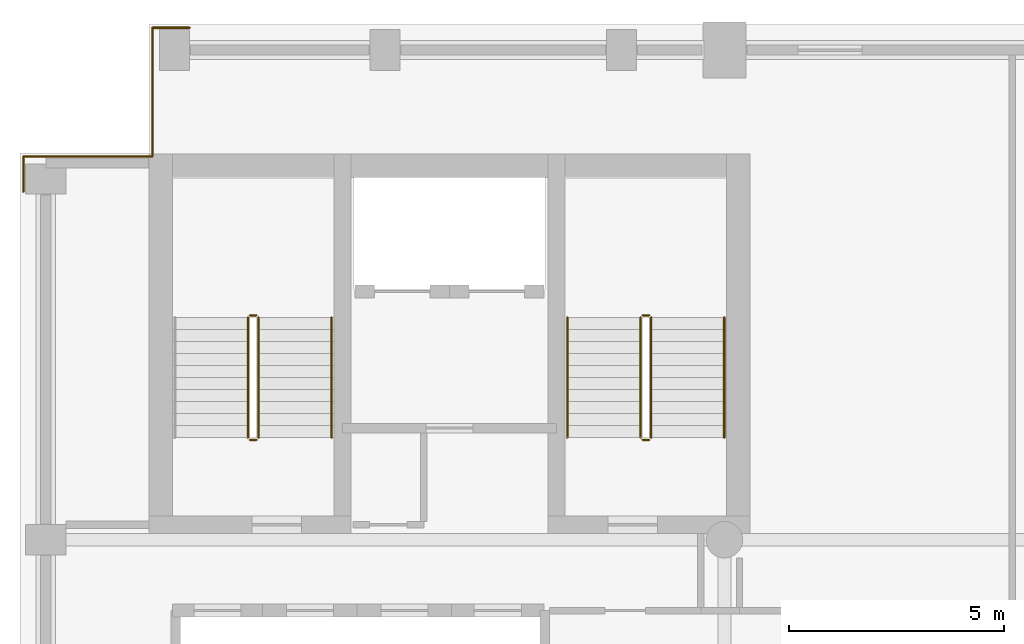
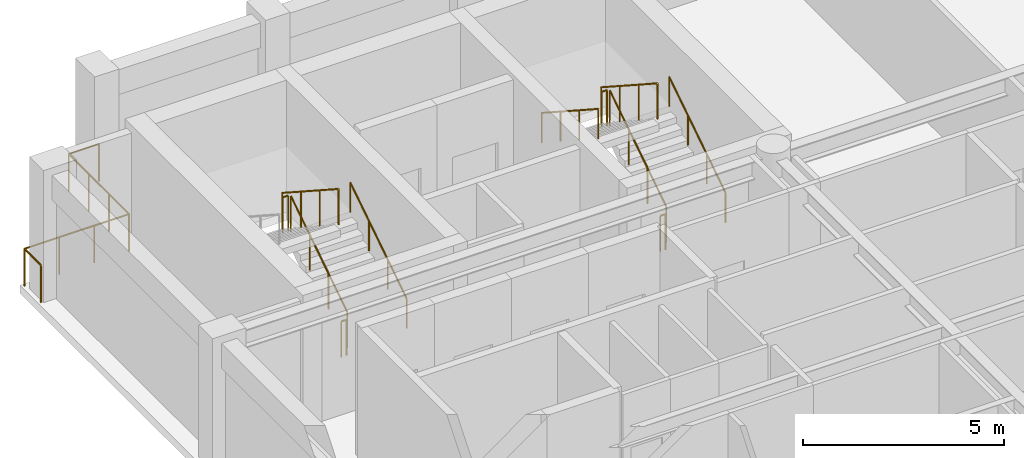
# One storey, part 13 of 14: 15 railings.
"""IFC4 building model written with IfcOpenShell, lengths in metres."""

import ifcopenshell
import ifcopenshell.guid

model = None  # the IFC model being written
_history = None  # IfcOwnerHistory: only IFC2X3 demands one
_inside = {}  # id of a spatial element -> (the spatial element, [elements in it])
_under = {}  # id of a project, library or spatial element -> (it, [spatial elements below it])
_declared = {}  # id of a project -> (the project, [libraries it declares])
_typed = {}  # id of a type object -> (the type object, [elements of that type])
_made_of = {}  # id of a material, layer set ... -> (it, [elements and type objects made of it])


def new_model(schema):
    """Start an empty IFC model of exactly this schema.

    Asked for "IFC4X3", IfcOpenShell would pick the latest addendum, in which some entities
    have other attributes; the version numbers below select the first issue.
    IFC2X3 requires an IfcOwnerHistory on every rooted entity: one is made here for all.
    """
    global model, _history
    if schema == "IFC4X3":
        model = ifcopenshell.file(schema_version=(4, 3, 0, 0))
    else:
        model = ifcopenshell.file(schema=schema)
    _inside.clear()
    _under.clear()
    _declared.clear()
    _typed.clear()
    _made_of.clear()
    _history = None
    if model.schema == "IFC2X3":
        org = make("IfcOrganization", Name="unknown")
        user = make(
            "IfcPersonAndOrganization",
            ThePerson=make("IfcPerson", FamilyName="unknown"),
            TheOrganization=org,
        )
        app = make(
            "IfcApplication",
            ApplicationDeveloper=org,
            Version="unknown",
            ApplicationFullName="unknown",
            ApplicationIdentifier="unknown",
        )
        _history = make(
            "IfcOwnerHistory",
            OwningUser=user,
            OwningApplication=app,
            ChangeAction="ADDED",
            CreationDate=0,
        )
    return model


def make(cls, **values):
    """One entity of the class cls with the attributes given. An attribute that is None is left unset."""
    return model.create_entity(
        cls, **{name: value for name, value in values.items() if value is not None}
    )


def rooted(cls, **values):
    """An entity with a GlobalId (a new one), such as an element, a storey or a relation."""
    return make(cls, GlobalId=ifcopenshell.guid.new(), OwnerHistory=_history, **values)


def si_unit(unit_type, name, prefix=None):
    """IfcSIUnit, for example si_unit("LENGTHUNIT", "METRE", prefix="MILLI")."""
    return make("IfcSIUnit", UnitType=unit_type, Prefix=prefix, Name=name)


def assignment(units):
    """IfcUnitAssignment: the units of a project."""
    return None if units is None else make("IfcUnitAssignment", Units=units)


def point(xyz):
    """IfcCartesianPoint."""
    return None if xyz is None else make("IfcCartesianPoint", Coordinates=xyz)


def direction(xyz):
    """IfcDirection."""
    return None if xyz is None else make("IfcDirection", DirectionRatios=xyz)


def frame(location, z_axis=None, x_axis=None):
    """IfcAxis2Placement3D, a coordinate frame: its origin and axes. An axis left out is left unset."""
    return make(
        "IfcAxis2Placement3D",
        Location=point(location),
        Axis=direction(z_axis),
        RefDirection=direction(x_axis),
    )


def frame_2d(location, x_axis=None):
    """IfcAxis2Placement2D, a coordinate frame in the plane: its origin and x axis."""
    return make(
        "IfcAxis2Placement2D", Location=point(location), RefDirection=direction(x_axis)
    )


def origin():
    """The frame at (0, 0, 0) with its axes left unset."""
    return frame((0.0, 0.0, 0.0))


def origin_2d():
    """The frame at (0, 0) in the plane with its x axis left unset."""
    return frame_2d((0.0, 0.0))


def place(relative_to, where):
    """IfcLocalPlacement: puts the frame where relative to a parent placement (None: the world)."""
    return make(
        "IfcLocalPlacement", PlacementRelTo=relative_to, RelativePlacement=where
    )


def context(
    kind, dimensions, precision=None, world=None, true_north=None, identifier=None
):
    """IfcGeometricRepresentationContext, for example the 3D "Model" context."""
    return make(
        "IfcGeometricRepresentationContext",
        ContextIdentifier=identifier,
        ContextType=kind,
        CoordinateSpaceDimension=dimensions,
        Precision=precision,
        WorldCoordinateSystem=world,
        TrueNorth=true_north,
    )


def subcontext(parent, identifier, kind, view, scale=None):
    """IfcGeometricRepresentationSubContext, for example "Body" below "Model"."""
    return make(
        "IfcGeometricRepresentationSubContext",
        ContextIdentifier=identifier,
        ContextType=kind,
        ParentContext=parent,
        TargetScale=scale,
        TargetView=view,
    )


def project(units=None, contexts=None):
    """IfcProject with its units and contexts."""
    return rooted(
        "IfcProject",
        Name="project",
        RepresentationContexts=contexts,
        UnitsInContext=assignment(units),
    )


def spatial(cls, under=None, at=None, **own):
    """A site, building, storey or space (cls), placed at a placement, below another one or the project."""
    s = rooted(cls, ObjectPlacement=at, **own)
    if under is not None:
        _under.setdefault(under.id(), (under, []))[1].append(s)
    return s


def profile(cls, at=None, kind="AREA", **sizes):
    """A parametric profile (cls). Its sizes go by their IFC names, for example OverallWidth=200.0."""
    return make(cls, ProfileType=kind, Position=at, **sizes)


def circle(**sizes):
    """IfcCircleProfileDef."""
    return profile("IfcCircleProfileDef", **sizes)


def extrude(swept, where, along, depth):
    """IfcExtrudedAreaSolid: the profile swept, set in the frame where, extruded along a direction by depth."""
    return make(
        "IfcExtrudedAreaSolid",
        SweptArea=swept,
        Position=where,
        ExtrudedDirection=direction(along),
        Depth=depth,
    )


def shape(context_of_items, identifier, shape_type, items):
    """IfcShapeRepresentation: the items that make up one representation, for example the "Body"."""
    return make(
        "IfcShapeRepresentation",
        ContextOfItems=context_of_items,
        RepresentationIdentifier=identifier,
        RepresentationType=shape_type,
        Items=items,
    )


def material(Name=None, Category=None):
    """IfcMaterial."""
    return make("IfcMaterial", Name=Name, Category=Category)


def made_of(thing, what):
    """Note that an element or type object is made of a material, layer set ...; save() writes the relation."""
    if what is not None:
        _made_of.setdefault(what.id(), (what, []))[1].append(thing)
    return thing


def type_object(cls, material=None, **own):
    """A type object (cls), such as IfcWallType, which elements share."""
    return made_of(rooted(cls, **own), material)


def element(
    cls,
    number,
    at=None,
    inside=None,
    cuts=None,
    type_object=None,
    material=None,
    context=None,
    identifier="Body",
    shape_type=None,
    held_by="IfcProductDefinitionShape",
    body=None,
    shapes=None,
    **own,
):
    """One element of the class cls, such as IfcWall. Its Tag is "e" and its number.

    at: its placement. inside: the storey or other place that contains it. cuts: it is an
    opening in that element (IfcRelVoidsElement). A single representation is given by context,
    identifier, shape_type and body (its items); several are given by shapes. held_by: the class
    of the entity that holds the representations. save() writes the other relations.
    """
    e = rooted(cls, Tag="e%d" % number, ObjectPlacement=at, **own)
    if body is not None:
        shapes = [shape(context, identifier, shape_type, body)]
    if shapes is not None:
        e.Representation = make(held_by, Representations=shapes)
    if inside is not None:
        _inside.setdefault(inside.id(), (inside, []))[1].append(e)
    if cuts is not None:
        rooted(
            "IfcRelVoidsElement", RelatingBuildingElement=cuts, RelatedOpeningElement=e
        )
    if type_object is not None:
        _typed.setdefault(type_object.id(), (type_object, []))[1].append(e)
    return made_of(e, material)


def aggregate(whole, parts):
    """IfcRelAggregates: a whole, such as a stair, and the parts it consists of."""
    return rooted("IfcRelAggregates", RelatingObject=whole, RelatedObjects=parts)


def save(model, path):
    """Write the relations noted so far, then the file.

    IfcRelAggregates (storeys below a building ...), IfcRelContainedInSpatialStructure (elements
    in a storey), IfcRelDefinesByType, IfcRelAssociatesMaterial and IfcRelDeclares: one each for
    every whole, place, type object, material and project.
    """
    for whole, parts in _under.values():
        aggregate(whole, parts)
    for where, things in _inside.values():
        rooted(
            "IfcRelContainedInSpatialStructure",
            RelatedElements=things,
            RelatingStructure=where,
        )
    for kind, things in _typed.values():
        rooted("IfcRelDefinesByType", RelatedObjects=things, RelatingType=kind)
    for what, things in _made_of.values():
        rooted("IfcRelAssociatesMaterial", RelatedObjects=things, RelatingMaterial=what)
    for by, libraries in _declared.values():
        rooted("IfcRelDeclares", RelatingContext=by, RelatedDefinitions=libraries)
    model.write(path)


model = new_model("IFC4")

# Units and contexts
model_context = context("Model", 3, precision=1e-05, world=origin(), true_north=direction((0.0, 1.0)))
body_context = subcontext(model_context, "Body", "Model", "MODEL_VIEW")
ifc_project = project(units=[si_unit("LENGTHUNIT", "METRE"), si_unit("AREAUNIT", "SQUARE_METRE"), si_unit("VOLUMEUNIT", "CUBIC_METRE"), si_unit("PLANEANGLEUNIT", "RADIAN"), si_unit("MASSUNIT", "GRAM", prefix="KILO")], contexts=[model_context])

# Site, building, storey
site_placement = place(None, origin())
site = spatial("IfcSite", under=ifc_project, at=site_placement, CompositionType="ELEMENT")
building_placement = place(site_placement, origin())
building = spatial("IfcBuilding", under=site, at=building_placement, Name="Sulina Concourse Tower", CompositionType="ELEMENT")
storey_placement = place(building_placement, frame((0.0, 0.0, 285.0)))
storey = spatial("IfcBuildingStorey", under=building, at=storey_placement, Name="L69", CompositionType="ELEMENT", Elevation=285.0)

# Railings
ifc_material_1 = material(Name="Galvanised steel railing", Category="steel")
railing_type_1 = type_object("IfcRailingType", Name="Core Stair Steel Guardrail 1150mm", PredefinedType="GUARDRAIL", material=ifc_material_1)
railing_1_placement = place(storey_placement, frame((0.080078125, 42.10009765625, 0.0)))
element("IfcRailing", 1, at=railing_1_placement, inside=storey, type_object=railing_type_1, Name="L69 perimeter edge safety guardrail NW1", PredefinedType="GUARDRAIL", context=body_context, shape_type="SweptSolid", body=[
    extrude(circle(Radius=0.02392578125, at=origin_2d()), frame((0.0, 0.0, 1.1259765625), z_axis=(0.0, 1.0, 0.0), x_axis=(-1.0, 0.0, 0.0)), (0.0, 0.0, 1.0), 0.81982421875),
    extrude(circle(Radius=0.02099609375, at=origin_2d()), origin(), (0.0, 0.0, 1.0), 1.101806640625),
    extrude(circle(Radius=0.02099609375, at=origin_2d()), frame((0.0, 0.81982421875, 0.0)), (0.0, 0.0, 1.0), 1.101806640625),
])
railing_2_placement = place(storey_placement, frame((0.080078125, 42.919921875, 0.0)))
element("IfcRailing", 2, at=railing_2_placement, inside=storey, type_object=railing_type_1, Name="L69 perimeter edge safety guardrail NW2", PredefinedType="GUARDRAIL", context=body_context, shape_type="SweptSolid", body=[
    extrude(circle(Radius=0.02392578125, at=origin_2d()), frame((0.0, 0.0, 1.1259765625), z_axis=(1.0, 0.0, 0.0), x_axis=(0.0, 1.0, 0.0)), (0.0, 0.0, 1.0), 3.0),
    extrude(circle(Radius=0.02099609375, at=origin_2d()), origin(), (0.0, 0.0, 1.0), 1.101806640625),
    extrude(circle(Radius=0.02099609375, at=origin_2d()), frame((1.0, 0.0, 0.0)), (0.0, 0.0, 1.0), 1.101806640625),
    extrude(circle(Radius=0.02099609375, at=origin_2d()), frame((2.0, 0.0, 0.0)), (0.0, 0.0, 1.0), 1.101806640625),
    extrude(circle(Radius=0.02099609375, at=origin_2d()), frame((3.0, 0.0, 0.0)), (0.0, 0.0, 1.0), 1.101806640625),
])
railing_3_placement = place(storey_placement, frame((3.080078125, 42.919921875, 0.0)))
element("IfcRailing", 3, at=railing_3_placement, inside=storey, type_object=railing_type_1, Name="L69 perimeter edge safety guardrail NW3", PredefinedType="GUARDRAIL", context=body_context, shape_type="SweptSolid", body=[
    extrude(circle(Radius=0.02392578125, at=origin_2d()), frame((0.0, 0.0, 1.1259765625), z_axis=(0.0, 1.0, 0.0), x_axis=(-1.0, 0.0, 0.0)), (0.0, 0.0, 1.0), 3.0),
    extrude(circle(Radius=0.02099609375, at=origin_2d()), origin(), (0.0, 0.0, 1.0), 1.101806640625),
    extrude(circle(Radius=0.02099609375, at=origin_2d()), frame((0.0, 1.0, 0.0)), (0.0, 0.0, 1.0), 1.101806640625),
    extrude(circle(Radius=0.02099609375, at=origin_2d()), frame((0.0, 2.0, 0.0)), (0.0, 0.0, 1.0), 1.101806640625),
    extrude(circle(Radius=0.02099609375, at=origin_2d()), frame((0.0, 3.0, 0.0)), (0.0, 0.0, 1.0), 1.101806640625),
])
railing_4_placement = place(storey_placement, frame((3.080078125, 45.919921875, 0.0)))
element("IfcRailing", 4, at=railing_4_placement, inside=storey, type_object=railing_type_1, Name="L69 perimeter edge safety guardrail NW4", PredefinedType="GUARDRAIL", context=body_context, shape_type="SweptSolid", body=[
    extrude(circle(Radius=0.02392578125, at=origin_2d()), frame((0.0, 0.0, 1.1259765625), z_axis=(1.0, 0.0, 0.0), x_axis=(0.0, 1.0, 0.0)), (0.0, 0.0, 1.0), 0.869873046875),
    extrude(circle(Radius=0.02099609375, at=origin_2d()), origin(), (0.0, 0.0, 1.0), 1.101806640625),
    extrude(circle(Radius=0.02099609375, at=origin_2d()), frame((0.869873046875, 0.0, 0.0)), (0.0, 0.0, 1.0), 1.101806640625),
])
railing_5_placement = place(storey_placement, frame((5.554931640625, 36.375, 0.181884765625)))
element("IfcRailing", 5, at=railing_5_placement, inside=storey, type_object=railing_type_1, Name="L69 ST-1 stair guard 1", PredefinedType="GUARDRAIL", context=body_context, shape_type="SweptSolid", body=[
    extrude(circle(Radius=0.02392578125, at=origin_2d()), frame((0.0, 0.0, 1.076171875), z_axis=(0.0, 0.838705829183, 0.544584733623), x_axis=(-1.0, 0.0, 0.0)), (0.0, 0.0, 1.0), 3.338623046875),
    extrude(circle(Radius=0.02099609375, at=origin_2d()), origin(), (0.0, 0.0, 1.0), 1.052001953125),
    extrude(circle(Radius=0.02099609375, at=origin_2d()), frame((0.0, 0.933349609375, 0.60595703125)), (0.0, 0.0, 1.0), 1.052001953125),
    extrude(circle(Radius=0.02099609375, at=origin_2d()), frame((0.0, 1.86669921875, 1.212158203125)), (0.0, 0.0, 1.0), 1.052001953125),
    extrude(circle(Radius=0.02099609375, at=origin_2d()), frame((0.0, 2.800048828125, 1.818115234375)), (0.0, 0.0, 1.0), 1.052001953125),
])
railing_6_placement = place(storey_placement, frame((5.5048828125, 39.22509765625, 2.0)))
element("IfcRailing", 6, at=railing_6_placement, inside=storey, type_object=railing_type_1, Name="L69 ST-1 stair guard 2", PredefinedType="GUARDRAIL", context=body_context, shape_type="SweptSolid", body=[
    extrude(circle(Radius=0.02392578125, at=origin_2d()), frame((0.0, 0.0, 1.076171875), z_axis=(-1.0, 0.0, 0.0), x_axis=(0.0, -1.0, 0.0)), (0.0, 0.0, 1.0), 0.14990234375),
    extrude(circle(Radius=0.02099609375, at=origin_2d()), origin(), (0.0, 0.0, 1.0), 1.052001953125),
    extrude(circle(Radius=0.02099609375, at=origin_2d()), frame((-0.14990234375, 0.0, 0.0)), (0.0, 0.0, 1.0), 1.052001953125),
])
railing_7_placement = place(storey_placement, frame((5.304931640625, 39.175048828125, 2.181884765625)))
element("IfcRailing", 7, at=railing_7_placement, inside=storey, type_object=railing_type_1, Name="L69 ST-1 stair guard 3", PredefinedType="GUARDRAIL", context=body_context, shape_type="SweptSolid", body=[
    extrude(circle(Radius=0.02392578125, at=origin_2d()), frame((0.0, 0.0, 1.076171875), z_axis=(0.0, -0.838705829183, 0.544584733623), x_axis=(1.0, 0.0, 0.0)), (0.0, 0.0, 1.0), 3.338623046875),
    extrude(circle(Radius=0.02099609375, at=origin_2d()), origin(), (0.0, 0.0, 1.0), 1.052001953125),
    extrude(circle(Radius=0.02099609375, at=origin_2d()), frame((0.0, -0.933349609375, 0.60595703125)), (0.0, 0.0, 1.0), 1.052001953125),
    extrude(circle(Radius=0.02099609375, at=origin_2d()), frame((0.0, -1.86669921875, 1.212158203125)), (0.0, 0.0, 1.0), 1.052001953125),
    extrude(circle(Radius=0.02099609375, at=origin_2d()), frame((0.0, -2.800048828125, 1.818115234375)), (0.0, 0.0, 1.0), 1.052001953125),
])
railing_8_placement = place(storey_placement, frame((5.5048828125, 36.324951171875, 0.0)))
element("IfcRailing", 8, at=railing_8_placement, inside=storey, type_object=railing_type_1, Name="L69 ST-1 stair guard 4", PredefinedType="GUARDRAIL", context=body_context, shape_type="SweptSolid", body=[
    extrude(circle(Radius=0.02392578125, at=origin_2d()), frame((0.0, 0.0, 1.076171875), z_axis=(-1.0, 0.0, 0.0), x_axis=(0.0, -1.0, 0.0)), (0.0, 0.0, 1.0), 0.14990234375),
    extrude(circle(Radius=0.02099609375, at=origin_2d()), origin(), (0.0, 0.0, 1.0), 1.052001953125),
    extrude(circle(Radius=0.02099609375, at=origin_2d()), frame((-0.14990234375, 0.0, 0.0)), (0.0, 0.0, 1.0), 1.052001953125),
])
railing_9_placement = place(storey_placement, frame((14.695068359375, 36.375, 0.181884765625)))
element("IfcRailing", 9, at=railing_9_placement, inside=storey, type_object=railing_type_1, Name="L69 ST-2 stair guard 1", PredefinedType="GUARDRAIL", context=body_context, shape_type="SweptSolid", body=[
    extrude(circle(Radius=0.02392578125, at=origin_2d()), frame((0.0, 0.0, 1.076171875), z_axis=(0.0, 0.838705829183, 0.544584733623), x_axis=(-1.0, 0.0, 0.0)), (0.0, 0.0, 1.0), 3.338623046875),
    extrude(circle(Radius=0.02099609375, at=origin_2d()), origin(), (0.0, 0.0, 1.0), 1.052001953125),
    extrude(circle(Radius=0.02099609375, at=origin_2d()), frame((0.0, 0.933349609375, 0.60595703125)), (0.0, 0.0, 1.0), 1.052001953125),
    extrude(circle(Radius=0.02099609375, at=origin_2d()), frame((0.0, 1.86669921875, 1.212158203125)), (0.0, 0.0, 1.0), 1.052001953125),
    extrude(circle(Radius=0.02099609375, at=origin_2d()), frame((0.0, 2.800048828125, 1.818115234375)), (0.0, 0.0, 1.0), 1.052001953125),
])
railing_10_placement = place(storey_placement, frame((14.64501953125, 39.22509765625, 2.0)))
element("IfcRailing", 10, at=railing_10_placement, inside=storey, type_object=railing_type_1, Name="L69 ST-2 stair guard 2", PredefinedType="GUARDRAIL", context=body_context, shape_type="SweptSolid", body=[
    extrude(circle(Radius=0.02392578125, at=origin_2d()), frame((0.0, 0.0, 1.076171875), z_axis=(-1.0, 0.0, 0.0), x_axis=(0.0, -1.0, 0.0)), (0.0, 0.0, 1.0), 0.14990234375),
    extrude(circle(Radius=0.02099609375, at=origin_2d()), origin(), (0.0, 0.0, 1.0), 1.052001953125),
    extrude(circle(Radius=0.02099609375, at=origin_2d()), frame((-0.14990234375, 0.0, 0.0)), (0.0, 0.0, 1.0), 1.052001953125),
])
railing_11_placement = place(storey_placement, frame((14.445068359375, 39.175048828125, 2.181884765625)))
element("IfcRailing", 11, at=railing_11_placement, inside=storey, type_object=railing_type_1, Name="L69 ST-2 stair guard 3", PredefinedType="GUARDRAIL", context=body_context, shape_type="SweptSolid", body=[
    extrude(circle(Radius=0.02392578125, at=origin_2d()), frame((0.0, 0.0, 1.076171875), z_axis=(0.0, -0.838705829183, 0.544584733623), x_axis=(1.0, 0.0, 0.0)), (0.0, 0.0, 1.0), 3.338623046875),
    extrude(circle(Radius=0.02099609375, at=origin_2d()), origin(), (0.0, 0.0, 1.0), 1.052001953125),
    extrude(circle(Radius=0.02099609375, at=origin_2d()), frame((0.0, -0.933349609375, 0.60595703125)), (0.0, 0.0, 1.0), 1.052001953125),
    extrude(circle(Radius=0.02099609375, at=origin_2d()), frame((0.0, -1.86669921875, 1.212158203125)), (0.0, 0.0, 1.0), 1.052001953125),
    extrude(circle(Radius=0.02099609375, at=origin_2d()), frame((0.0, -2.800048828125, 1.818115234375)), (0.0, 0.0, 1.0), 1.052001953125),
])
railing_12_placement = place(storey_placement, frame((14.64501953125, 36.324951171875, 0.0)))
element("IfcRailing", 12, at=railing_12_placement, inside=storey, type_object=railing_type_1, Name="L69 ST-2 stair guard 4", PredefinedType="GUARDRAIL", context=body_context, shape_type="SweptSolid", body=[
    extrude(circle(Radius=0.02392578125, at=origin_2d()), frame((0.0, 0.0, 1.076171875), z_axis=(-1.0, 0.0, 0.0), x_axis=(0.0, -1.0, 0.0)), (0.0, 0.0, 1.0), 0.14990234375),
    extrude(circle(Radius=0.02099609375, at=origin_2d()), origin(), (0.0, 0.0, 1.0), 1.052001953125),
    extrude(circle(Radius=0.02099609375, at=origin_2d()), frame((-0.14990234375, 0.0, 0.0)), (0.0, 0.0, 1.0), 1.052001953125),
])
ifc_material_2 = material(Name="Galvanised steel railing", Category="steel")
railing_type_2 = type_object("IfcRailingType", Name="Stair Wall Steel Handrail 920mm", PredefinedType="HANDRAIL", material=ifc_material_2)
for number, where, name in (
    (13, (7.2548828125, 36.375, 0.181884765625), "L69 ST-1 stair handrail 1"),
    (14, (16.39501953125, 36.375, 0.181884765625), "L69 ST-2 stair handrail 1"),
):
    element("IfcRailing", number, at=place(storey_placement, frame(where)), inside=storey, type_object=railing_type_2, Name=name, PredefinedType="HANDRAIL", context=body_context, shape_type="SweptSolid", body=[
        extrude(circle(Radius=0.02392578125, at=origin_2d()), frame((0.0, 0.0, 0.89599609375), z_axis=(0.0, 0.838705829183, 0.544584733623), x_axis=(-1.0, 0.0, 0.0)), (0.0, 0.0, 1.0), 3.338623046875),
        extrude(circle(Radius=0.02099609375, at=origin_2d()), origin(), (0.0, 0.0, 1.0), 0.871826171875),
        extrude(circle(Radius=0.02099609375, at=origin_2d()), frame((0.0, 0.933349609375, 0.60595703125)), (0.0, 0.0, 1.0), 0.871826171875),
        extrude(circle(Radius=0.02099609375, at=origin_2d()), frame((0.0, 1.86669921875, 1.212158203125)), (0.0, 0.0, 1.0), 0.871826171875),
        extrude(circle(Radius=0.02099609375, at=origin_2d()), frame((0.0, 2.800048828125, 1.818115234375)), (0.0, 0.0, 1.0), 0.871826171875),
    ])
railing_13_placement = place(storey_placement, frame((12.7451171875, 39.175048828125, 2.181884765625)))
element("IfcRailing", 15, at=railing_13_placement, inside=storey, type_object=railing_type_2, Name="L69 ST-2 stair handrail 2", PredefinedType="HANDRAIL", context=body_context, shape_type="SweptSolid", body=[
    extrude(circle(Radius=0.02392578125, at=origin_2d()), frame((0.0, 0.0, 0.89599609375), z_axis=(0.0, -0.838705829183, 0.544584733623), x_axis=(1.0, 0.0, 0.0)), (0.0, 0.0, 1.0), 3.338623046875),
    extrude(circle(Radius=0.02099609375, at=origin_2d()), origin(), (0.0, 0.0, 1.0), 0.871826171875),
    extrude(circle(Radius=0.02099609375, at=origin_2d()), frame((0.0, -0.933349609375, 0.60595703125)), (0.0, 0.0, 1.0), 0.871826171875),
    extrude(circle(Radius=0.02099609375, at=origin_2d()), frame((0.0, -1.86669921875, 1.212158203125)), (0.0, 0.0, 1.0), 0.871826171875),
    extrude(circle(Radius=0.02099609375, at=origin_2d()), frame((0.0, -2.800048828125, 1.818115234375)), (0.0, 0.0, 1.0), 0.871826171875),
])

save(model, "model.ifc")
